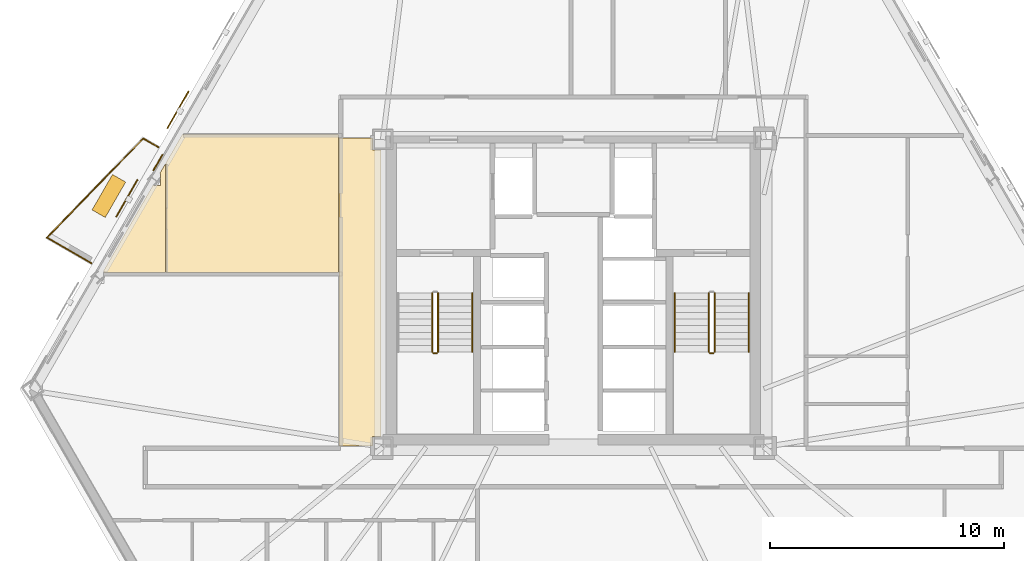
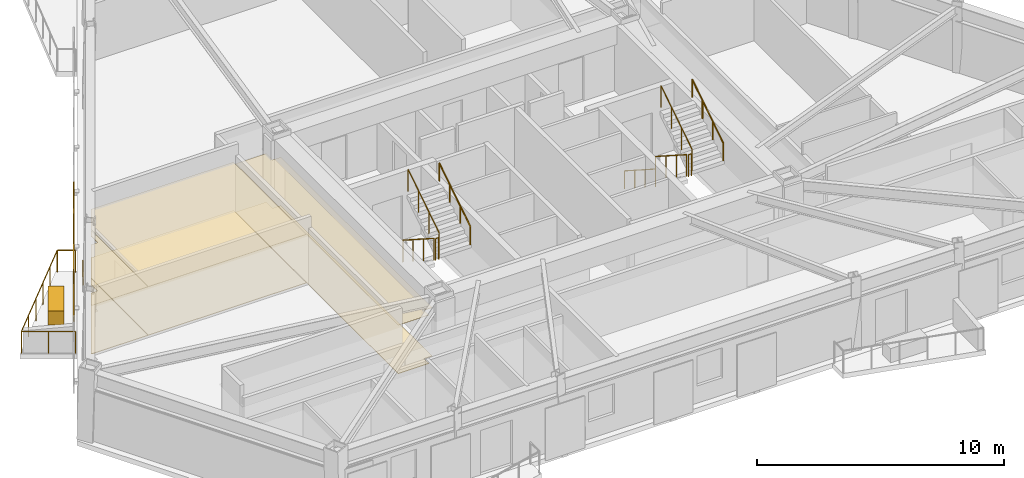
# One storey, part 7 of 9: 12 railings, 8 coverings, 2 shading devices.
"""IFC4 building model written with IfcOpenShell, lengths in metres."""

import ifcopenshell
import ifcopenshell.guid

model = None  # the IFC model being written
_history = None  # IfcOwnerHistory: only IFC2X3 demands one
_inside = {}  # id of a spatial element -> (the spatial element, [elements in it])
_under = {}  # id of a project, library or spatial element -> (it, [spatial elements below it])
_declared = {}  # id of a project -> (the project, [libraries it declares])
_typed = {}  # id of a type object -> (the type object, [elements of that type])
_made_of = {}  # id of a material, layer set ... -> (it, [elements and type objects made of it])


def new_model(schema):
    """Start an empty IFC model of exactly this schema.

    Asked for "IFC4X3", IfcOpenShell would pick the latest addendum, in which some entities
    have other attributes; the version numbers below select the first issue.
    IFC2X3 requires an IfcOwnerHistory on every rooted entity: one is made here for all.
    """
    global model, _history
    if schema == "IFC4X3":
        model = ifcopenshell.file(schema_version=(4, 3, 0, 0))
    else:
        model = ifcopenshell.file(schema=schema)
    _inside.clear()
    _under.clear()
    _declared.clear()
    _typed.clear()
    _made_of.clear()
    _history = None
    if model.schema == "IFC2X3":
        org = make("IfcOrganization", Name="unknown")
        user = make(
            "IfcPersonAndOrganization",
            ThePerson=make("IfcPerson", FamilyName="unknown"),
            TheOrganization=org,
        )
        app = make(
            "IfcApplication",
            ApplicationDeveloper=org,
            Version="unknown",
            ApplicationFullName="unknown",
            ApplicationIdentifier="unknown",
        )
        _history = make(
            "IfcOwnerHistory",
            OwningUser=user,
            OwningApplication=app,
            ChangeAction="ADDED",
            CreationDate=0,
        )
    return model


def make(cls, **values):
    """One entity of the class cls with the attributes given. An attribute that is None is left unset."""
    return model.create_entity(
        cls, **{name: value for name, value in values.items() if value is not None}
    )


def rooted(cls, **values):
    """An entity with a GlobalId (a new one), such as an element, a storey or a relation."""
    return make(cls, GlobalId=ifcopenshell.guid.new(), OwnerHistory=_history, **values)


def si_unit(unit_type, name, prefix=None):
    """IfcSIUnit, for example si_unit("LENGTHUNIT", "METRE", prefix="MILLI")."""
    return make("IfcSIUnit", UnitType=unit_type, Prefix=prefix, Name=name)


def assignment(units):
    """IfcUnitAssignment: the units of a project."""
    return None if units is None else make("IfcUnitAssignment", Units=units)


def point(xyz):
    """IfcCartesianPoint."""
    return None if xyz is None else make("IfcCartesianPoint", Coordinates=xyz)


def direction(xyz):
    """IfcDirection."""
    return None if xyz is None else make("IfcDirection", DirectionRatios=xyz)


def frame(location, z_axis=None, x_axis=None):
    """IfcAxis2Placement3D, a coordinate frame: its origin and axes. An axis left out is left unset."""
    return make(
        "IfcAxis2Placement3D",
        Location=point(location),
        Axis=direction(z_axis),
        RefDirection=direction(x_axis),
    )


def frame_2d(location, x_axis=None):
    """IfcAxis2Placement2D, a coordinate frame in the plane: its origin and x axis."""
    return make(
        "IfcAxis2Placement2D", Location=point(location), RefDirection=direction(x_axis)
    )


def origin():
    """The frame at (0, 0, 0) with its axes left unset."""
    return frame((0.0, 0.0, 0.0))


def origin_2d():
    """The frame at (0, 0) in the plane with its x axis left unset."""
    return frame_2d((0.0, 0.0))


def place(relative_to, where):
    """IfcLocalPlacement: puts the frame where relative to a parent placement (None: the world)."""
    return make(
        "IfcLocalPlacement", PlacementRelTo=relative_to, RelativePlacement=where
    )


def context(
    kind, dimensions, precision=None, world=None, true_north=None, identifier=None
):
    """IfcGeometricRepresentationContext, for example the 3D "Model" context."""
    return make(
        "IfcGeometricRepresentationContext",
        ContextIdentifier=identifier,
        ContextType=kind,
        CoordinateSpaceDimension=dimensions,
        Precision=precision,
        WorldCoordinateSystem=world,
        TrueNorth=true_north,
    )


def subcontext(parent, identifier, kind, view, scale=None):
    """IfcGeometricRepresentationSubContext, for example "Body" below "Model"."""
    return make(
        "IfcGeometricRepresentationSubContext",
        ContextIdentifier=identifier,
        ContextType=kind,
        ParentContext=parent,
        TargetScale=scale,
        TargetView=view,
    )


def project(units=None, contexts=None):
    """IfcProject with its units and contexts."""
    return rooted(
        "IfcProject",
        Name="project",
        RepresentationContexts=contexts,
        UnitsInContext=assignment(units),
    )


def spatial(cls, under=None, at=None, **own):
    """A site, building, storey or space (cls), placed at a placement, below another one or the project."""
    s = rooted(cls, ObjectPlacement=at, **own)
    if under is not None:
        _under.setdefault(under.id(), (under, []))[1].append(s)
    return s


def polyline(points):
    """IfcPolyline through the points."""
    return make("IfcPolyline", Points=[point(p) for p in points])


def profile(cls, at=None, kind="AREA", **sizes):
    """A parametric profile (cls). Its sizes go by their IFC names, for example OverallWidth=200.0."""
    return make(cls, ProfileType=kind, Position=at, **sizes)


def rectangle(**sizes):
    """IfcRectangleProfileDef."""
    return profile("IfcRectangleProfileDef", **sizes)


def circle(**sizes):
    """IfcCircleProfileDef."""
    return profile("IfcCircleProfileDef", **sizes)


def outline(outer, holes=None, kind="AREA"):
    """IfcArbitraryClosedProfileDef: a profile drawn as a closed curve; with holes, ...WithVoids."""
    if holes is None:
        return make("IfcArbitraryClosedProfileDef", ProfileType=kind, OuterCurve=outer)
    return make(
        "IfcArbitraryProfileDefWithVoids",
        ProfileType=kind,
        OuterCurve=outer,
        InnerCurves=holes,
    )


def extrude(swept, where, along, depth):
    """IfcExtrudedAreaSolid: the profile swept, set in the frame where, extruded along a direction by depth."""
    return make(
        "IfcExtrudedAreaSolid",
        SweptArea=swept,
        Position=where,
        ExtrudedDirection=direction(along),
        Depth=depth,
    )


def shape(context_of_items, identifier, shape_type, items):
    """IfcShapeRepresentation: the items that make up one representation, for example the "Body"."""
    return make(
        "IfcShapeRepresentation",
        ContextOfItems=context_of_items,
        RepresentationIdentifier=identifier,
        RepresentationType=shape_type,
        Items=items,
    )


def material(Name=None, Category=None):
    """IfcMaterial."""
    return make("IfcMaterial", Name=Name, Category=Category)


def layer(
    of_material, thickness, ventilated=None, Name=None, Category=None, Priority=None
):
    """IfcMaterialLayer: one layer of a wall or slab, of a material (None: an air gap)."""
    return make(
        "IfcMaterialLayer",
        Material=of_material,
        LayerThickness=thickness,
        IsVentilated=ventilated,
        Name=Name,
        Category=Category,
        Priority=Priority,
    )


def layer_set(layers, Name=None):
    """IfcMaterialLayerSet."""
    return make("IfcMaterialLayerSet", MaterialLayers=layers, LayerSetName=Name)


def made_of(thing, what):
    """Note that an element or type object is made of a material, layer set ...; save() writes the relation."""
    if what is not None:
        _made_of.setdefault(what.id(), (what, []))[1].append(thing)
    return thing


def type_object(cls, material=None, **own):
    """A type object (cls), such as IfcWallType, which elements share."""
    return made_of(rooted(cls, **own), material)


def element(
    cls,
    number,
    at=None,
    inside=None,
    cuts=None,
    type_object=None,
    material=None,
    context=None,
    identifier="Body",
    shape_type=None,
    held_by="IfcProductDefinitionShape",
    body=None,
    shapes=None,
    **own,
):
    """One element of the class cls, such as IfcWall. Its Tag is "e" and its number.

    at: its placement. inside: the storey or other place that contains it. cuts: it is an
    opening in that element (IfcRelVoidsElement). A single representation is given by context,
    identifier, shape_type and body (its items); several are given by shapes. held_by: the class
    of the entity that holds the representations. save() writes the other relations.
    """
    e = rooted(cls, Tag="e%d" % number, ObjectPlacement=at, **own)
    if body is not None:
        shapes = [shape(context, identifier, shape_type, body)]
    if shapes is not None:
        e.Representation = make(held_by, Representations=shapes)
    if inside is not None:
        _inside.setdefault(inside.id(), (inside, []))[1].append(e)
    if cuts is not None:
        rooted(
            "IfcRelVoidsElement", RelatingBuildingElement=cuts, RelatedOpeningElement=e
        )
    if type_object is not None:
        _typed.setdefault(type_object.id(), (type_object, []))[1].append(e)
    return made_of(e, material)


def aggregate(whole, parts):
    """IfcRelAggregates: a whole, such as a stair, and the parts it consists of."""
    return rooted("IfcRelAggregates", RelatingObject=whole, RelatedObjects=parts)


def save(model, path):
    """Write the relations noted so far, then the file.

    IfcRelAggregates (storeys below a building ...), IfcRelContainedInSpatialStructure (elements
    in a storey), IfcRelDefinesByType, IfcRelAssociatesMaterial and IfcRelDeclares: one each for
    every whole, place, type object, material and project.
    """
    for whole, parts in _under.values():
        aggregate(whole, parts)
    for where, things in _inside.values():
        rooted(
            "IfcRelContainedInSpatialStructure",
            RelatedElements=things,
            RelatingStructure=where,
        )
    for kind, things in _typed.values():
        rooted("IfcRelDefinesByType", RelatedObjects=things, RelatingType=kind)
    for what, things in _made_of.values():
        rooted("IfcRelAssociatesMaterial", RelatedObjects=things, RelatingMaterial=what)
    for by, libraries in _declared.values():
        rooted("IfcRelDeclares", RelatingContext=by, RelatedDefinitions=libraries)
    model.write(path)


model = new_model("IFC4")

# Units and contexts
model_context = context("Model", 3, precision=1e-05, world=origin(), true_north=direction((0.0, 1.0)))
body_context = subcontext(model_context, "Body", "Model", "MODEL_VIEW")
ifc_project = project(units=[si_unit("LENGTHUNIT", "METRE"), si_unit("AREAUNIT", "SQUARE_METRE"), si_unit("VOLUMEUNIT", "CUBIC_METRE"), si_unit("PLANEANGLEUNIT", "RADIAN"), si_unit("MASSUNIT", "GRAM", prefix="KILO")], contexts=[model_context])

# Site, building, storey
site_placement = place(None, origin())
site = spatial("IfcSite", under=ifc_project, at=site_placement, CompositionType="ELEMENT")
building_placement = place(site_placement, origin())
building = spatial("IfcBuilding", under=site, at=building_placement, Name="Oramaril Tower", CompositionType="ELEMENT")
storey_placement = place(building_placement, frame((0.0, 0.0, 104.10009765625)))
storey = spatial("IfcBuildingStorey", under=building, at=storey_placement, Name="L27", CompositionType="ELEMENT", Elevation=104.10009765625)

# Coverings
ifc_material_1 = material(Name="Mineral Fibre Acoustic Ceiling")
ifc_layer_1 = layer(ifc_material_1, 0.02001953125)
ifc_layer_set_1 = layer_set([ifc_layer_1], Name="CVT-CEIL")
covering_type_1 = type_object("IfcCoveringType", Name="CVT-CEIL", PredefinedType="CEILING", material=ifc_layer_set_1)
covering_1_placement = place(storey_placement, frame((0.0, 0.0, 2.39990234375)))
element("IfcCovering", 1, at=covering_1_placement, inside=storey, type_object=covering_type_1, Name="L27 Acoustic Suspended Ceiling 3", PredefinedType="CEILING", context=body_context, shape_type="SweptSolid", body=[
    extrude(outline(polyline([(28.905029296875, 23.705078125), (29.280029296875, 23.705078125), (29.280029296875, 11.445068359375), (28.905029296875, 11.445068359375), (28.905029296875, 11.050048828125), (27.469970703125, 11.050048828125), (27.469970703125, 24.219970703125), (28.905029296875, 24.219970703125), (28.905029296875, 23.705078125)])), origin(), (0.0, 0.0, 1.0), 0.02001953125),
])
covering_2_placement = place(storey_placement, frame((0.0, 0.0, 2.39990234375)))
element("IfcCovering", 2, at=covering_2_placement, inside=storey, type_object=covering_type_1, Name="L27 Acoustic Suspended Ceiling 15", PredefinedType="CEILING", context=body_context, shape_type="SweptSolid", body=[
    extrude(outline(polyline([(20.77099609375, 24.362060546875), (27.449951171875, 24.362060546875), (27.449951171875, 24.239990234375), (27.4501953125, 24.238037109375), (27.450439453125, 24.236083984375), (27.450927734375, 24.234130859375), (27.451416015625, 24.232421875), (27.452392578125, 24.230712890625), (27.45263671875, 24.22998046875), (27.452392578125, 24.2294921875), (27.451416015625, 24.227783203125), (27.450927734375, 24.225830078125), (27.450439453125, 24.223876953125), (27.4501953125, 24.221923828125), (27.449951171875, 24.219970703125), (27.449951171875, 18.4619140625), (20.0673828125, 18.4619140625), (20.0673828125, 23.14306640625), (20.77099609375, 24.362060546875)])), origin(), (0.0, 0.0, 1.0), 0.02001953125),
])
covering_3_placement = place(storey_placement, frame((0.0, 0.0, 2.39990234375)))
element("IfcCovering", 3, at=covering_3_placement, inside=storey, type_object=covering_type_1, Name="L27 Acoustic Suspended Ceiling 16", PredefinedType="CEILING", context=body_context, shape_type="SweptSolid", body=[
    extrude(outline(polyline([(19.844482421875, 22.191650390625), (19.844482421875, 22.6943359375), (19.80810546875, 22.6943359375), (20.04736328125, 23.1083984375), (20.04736328125, 18.4619140625), (17.41748046875, 18.4619140625), (17.41748046875, 18.499755859375), (17.386474609375, 18.499755859375), (19.51806640625, 22.191650390625), (19.844482421875, 22.191650390625)])), origin(), (0.0, 0.0, 1.0), 0.02001953125),
])
ifc_material_2 = material(Name="Warm Cream Limestone", Category="masonry")
ifc_layer_2 = layer(ifc_material_2, 0.050048828125)
ifc_layer_set_2 = layer_set([ifc_layer_2], Name="CVT-CLD")
covering_type_2 = type_object("IfcCoveringType", Name="CVT-CLD", PredefinedType="CLADDING", material=ifc_layer_set_2)
covering_4_placement = place(storey_placement, frame((19.7333984375, 23.1669921875, 0.0400390625), z_axis=(0.0, 0.0, 1.0), x_axis=(-0.5, -0.866025403784, 0.0)))
element("IfcCovering", 4, at=covering_4_placement, inside=storey, type_object=covering_type_2, Name="L27 Warm Cream Limestone Spandrel Cladding", PredefinedType="CLADDING", context=body_context, shape_type="SweptSolid", body=[
    extrude(rectangle(XDim=0.800048828125, YDim=0.050048828125, at=origin_2d()), origin(), (0.0, 0.0, 1.0), 0.679931640625),
])
covering_5_placement = place(storey_placement, frame((17.634765625, 21.739013671875, 0.0), z_axis=(0.0, 0.0, 1.0), x_axis=(-0.5, -0.866025403784, 0.0)))
element("IfcCovering", 5, at=covering_5_placement, inside=storey, type_object=covering_type_2, Name="L27 Structural Tree Planter Box L27-BAL-NW2", PredefinedType="CLADDING", context=body_context, shape_type="SweptSolid", body=[
    extrude(rectangle(XDim=1.75, YDim=0.64990234375, at=origin_2d()), origin(), (0.0, 0.0, 1.0), 0.699951171875),
])
ifc_material_3 = material(Name="Honed Quartzite Stone Flooring", Category="masonry")
ifc_layer_3 = layer(ifc_material_3, 0.02490234375)
ifc_layer_set_3 = layer_set([ifc_layer_3], Name="CVT-FLR")
covering_type_3 = type_object("IfcCoveringType", Name="CVT-FLR", PredefinedType="FLOORING", material=ifc_layer_set_3)
covering_6_placement = place(storey_placement, origin())
element("IfcCovering", 6, at=covering_6_placement, inside=storey, type_object=covering_type_3, Name="L27 Honed Stone Floor Finish 3", PredefinedType="FLOORING", context=body_context, shape_type="SweptSolid", body=[
    extrude(outline(polyline([(28.905029296875, 23.705078125), (29.280029296875, 23.705078125), (29.280029296875, 11.445068359375), (28.905029296875, 11.445068359375), (28.905029296875, 11.050048828125), (27.469970703125, 11.050048828125), (27.469970703125, 24.219970703125), (28.905029296875, 24.219970703125), (28.905029296875, 23.705078125)])), origin(), (0.0, 0.0, 1.0), 0.02490234375),
])
covering_7_placement = place(storey_placement, origin())
element("IfcCovering", 7, at=covering_7_placement, inside=storey, type_object=covering_type_3, Name="L27 Honed Stone Floor Finish 15", PredefinedType="FLOORING", context=body_context, shape_type="SweptSolid", body=[
    extrude(outline(polyline([(20.77099609375, 24.362060546875), (27.449951171875, 24.362060546875), (27.449951171875, 24.239990234375), (27.4501953125, 24.238037109375), (27.450439453125, 24.236083984375), (27.450927734375, 24.234130859375), (27.451416015625, 24.232421875), (27.452392578125, 24.230712890625), (27.45263671875, 24.22998046875), (27.452392578125, 24.2294921875), (27.451416015625, 24.227783203125), (27.450927734375, 24.225830078125), (27.450439453125, 24.223876953125), (27.4501953125, 24.221923828125), (27.449951171875, 24.219970703125), (27.449951171875, 18.4619140625), (20.0673828125, 18.4619140625), (20.0673828125, 23.14306640625), (20.77099609375, 24.362060546875)])), origin(), (0.0, 0.0, 1.0), 0.02490234375),
])
covering_8_placement = place(storey_placement, origin())
element("IfcCovering", 8, at=covering_8_placement, inside=storey, type_object=covering_type_3, Name="L27 Honed Stone Floor Finish 16", PredefinedType="FLOORING", context=body_context, shape_type="SweptSolid", body=[
    extrude(outline(polyline([(19.844482421875, 22.191650390625), (19.844482421875, 22.6943359375), (19.80810546875, 22.6943359375), (20.04736328125, 23.1083984375), (20.04736328125, 18.4619140625), (17.41748046875, 18.4619140625), (17.41748046875, 18.499755859375), (17.386474609375, 18.499755859375), (19.51806640625, 22.191650390625), (19.844482421875, 22.191650390625)])), origin(), (0.0, 0.0, 1.0), 0.02490234375),
])

# Railings
ifc_material_4 = material(Name="Stainless Steel 316L", Category="steel")
railing_type_1 = type_object("IfcRailingType", Name="RLT-GRD", PredefinedType="GUARDRAIL", material=ifc_material_4)
railing_1_placement = place(storey_placement, frame((16.885009765625, 18.863525390625, 0.0)))
element("IfcRailing", 9, at=railing_1_placement, inside=storey, type_object=railing_type_1, Name="L27 Balcony Guardrail L27-BAL-NW2.1", PredefinedType="GUARDRAIL", context=body_context, shape_type="SweptSolid", body=[
    extrude(circle(Radius=0.02392578125, at=origin_2d()), frame((0.0, 0.0, 1.076171875), z_axis=(-0.866020500697, 0.5000084923, 0.0), x_axis=(-0.5000084923, -0.866020500697, 0.0)), (0.0, 0.0, 1.0), 2.19189453125),
    extrude(circle(Radius=0.02099609375, at=origin_2d()), origin(), (0.0, 0.0, 1.0), 1.052001953125),
    extrude(circle(Radius=0.02099609375, at=origin_2d()), frame((-0.94921875, 0.5478515625, 0.0)), (0.0, 0.0, 1.0), 1.052001953125),
    extrude(circle(Radius=0.02099609375, at=origin_2d()), frame((-1.898193359375, 1.095947265625, 0.0)), (0.0, 0.0, 1.0), 1.052001953125),
])
railing_2_placement = place(storey_placement, frame((14.98681640625, 19.95947265625, 0.0)))
element("IfcRailing", 10, at=railing_2_placement, inside=storey, type_object=railing_type_1, Name="L27 Balcony Guardrail L27-BAL-NW2.2", PredefinedType="GUARDRAIL", context=body_context, shape_type="SweptSolid", body=[
    extrude(circle(Radius=0.02392578125, at=origin_2d()), frame((0.0, 0.0, 1.076171875), z_axis=(0.697186915353, 0.716889395277, 0.0), x_axis=(-0.716889395277, 0.697186915353, 0.0)), (0.0, 0.0, 1.0), 5.91064453125),
    extrude(circle(Radius=0.02099609375, at=origin_2d()), origin(), (0.0, 0.0, 1.0), 1.052001953125),
    extrude(circle(Radius=0.02099609375, at=origin_2d()), frame((0.82421875, 0.847412109375, 0.0)), (0.0, 0.0, 1.0), 1.052001953125),
    extrude(circle(Radius=0.02099609375, at=origin_2d()), frame((1.6484375, 1.69482421875, 0.0)), (0.0, 0.0, 1.0), 1.052001953125),
    extrude(circle(Radius=0.02099609375, at=origin_2d()), frame((2.472412109375, 2.54248046875, 0.0)), (0.0, 0.0, 1.0), 1.052001953125),
    extrude(circle(Radius=0.02099609375, at=origin_2d()), frame((3.296630859375, 3.389892578125, 0.0)), (0.0, 0.0, 1.0), 1.052001953125),
    extrude(circle(Radius=0.02099609375, at=origin_2d()), frame((4.120849609375, 4.2373046875, 0.0)), (0.0, 0.0, 1.0), 1.052001953125),
])
railing_3_placement = place(storey_placement, frame((19.107666015625, 24.19677734375, 0.0)))
element("IfcRailing", 11, at=railing_3_placement, inside=storey, type_object=railing_type_1, Name="L27 Balcony Guardrail L27-BAL-NW2.3", PredefinedType="GUARDRAIL", context=body_context, shape_type="SweptSolid", body=[
    extrude(circle(Radius=0.02392578125, at=origin_2d()), frame((0.0, 0.0, 1.076171875), z_axis=(0.865884080729, -0.500244698863, 0.0), x_axis=(0.500244698863, 0.865884080729, 0.0)), (0.0, 0.0, 1.0), 0.741943359375),
    extrude(circle(Radius=0.02099609375, at=origin_2d()), origin(), (0.0, 0.0, 1.0), 1.052001953125),
    extrude(circle(Radius=0.02099609375, at=origin_2d()), frame((0.642333984375, -0.37109375, 0.0)), (0.0, 0.0, 1.0), 1.052001953125),
])
railing_4_placement = place(storey_placement, frame((31.4599609375, 17.590087890625, 0.179931640625)))
element("IfcRailing", 12, at=railing_4_placement, inside=storey, type_object=railing_type_1, Name="L27 ST-1 stair guard 1", PredefinedType="GUARDRAIL", context=body_context, shape_type="SweptSolid", body=[
    extrude(circle(Radius=0.02392578125, at=origin_2d()), frame((0.0, 0.0, 1.076171875), z_axis=(0.0, -0.841199657755, 0.540724639528), x_axis=(1.0, 0.0, 0.0)), (0.0, 0.0, 1.0), 2.995849609375),
    extrude(circle(Radius=0.02099609375, at=origin_2d()), origin(), (0.0, 0.0, 1.0), 1.052001953125),
    extrude(circle(Radius=0.02099609375, at=origin_2d()), frame((0.0, -0.840087890625, 0.5400390625)), (0.0, 0.0, 1.0), 1.052001953125),
    extrude(circle(Radius=0.02099609375, at=origin_2d()), frame((0.0, -1.679931640625, 1.079833984375)), (0.0, 0.0, 1.0), 1.052001953125),
    extrude(circle(Radius=0.02099609375, at=origin_2d()), frame((0.0, -2.52001953125, 1.619873046875)), (0.0, 0.0, 1.0), 1.052001953125),
])
railing_5_placement = place(storey_placement, frame((31.510009765625, 15.02001953125, 1.7998046875)))
element("IfcRailing", 13, at=railing_5_placement, inside=storey, type_object=railing_type_1, Name="L27 ST-1 stair guard 2", PredefinedType="GUARDRAIL", context=body_context, shape_type="SweptSolid", body=[
    extrude(circle(Radius=0.02392578125, at=origin_2d()), frame((0.0, 0.0, 1.076171875), z_axis=(1.0, 0.0, 0.0), x_axis=(0.0, 1.0, 0.0)), (0.0, 0.0, 1.0), 0.14990234375),
    extrude(circle(Radius=0.02099609375, at=origin_2d()), origin(), (0.0, 0.0, 1.0), 1.052001953125),
    extrude(circle(Radius=0.02099609375, at=origin_2d()), frame((0.14990234375, 0.0, 0.0)), (0.0, 0.0, 1.0), 1.052001953125),
])
railing_6_placement = place(storey_placement, frame((31.7099609375, 15.070068359375, 1.97998046875)))
element("IfcRailing", 14, at=railing_6_placement, inside=storey, type_object=railing_type_1, Name="L27 ST-1 stair guard 3", PredefinedType="GUARDRAIL", context=body_context, shape_type="SweptSolid", body=[
    extrude(circle(Radius=0.02392578125, at=origin_2d()), frame((0.0, 0.0, 1.076171875), z_axis=(0.0, 0.841199657755, 0.540724639528), x_axis=(-1.0, 0.0, 0.0)), (0.0, 0.0, 1.0), 2.995849609375),
    extrude(circle(Radius=0.02099609375, at=origin_2d()), origin(), (0.0, 0.0, 1.0), 1.052001953125),
    extrude(circle(Radius=0.02099609375, at=origin_2d()), frame((0.0, 0.840087890625, 0.5400390625)), (0.0, 0.0, 1.0), 1.052001953125),
    extrude(circle(Radius=0.02099609375, at=origin_2d()), frame((0.0, 1.679931640625, 1.079833984375)), (0.0, 0.0, 1.0), 1.052001953125),
    extrude(circle(Radius=0.02099609375, at=origin_2d()), frame((0.0, 2.52001953125, 1.619873046875)), (0.0, 0.0, 1.0), 1.052001953125),
])
railing_7_placement = place(storey_placement, frame((43.2900390625, 17.590087890625, 0.179931640625)))
element("IfcRailing", 15, at=railing_7_placement, inside=storey, type_object=railing_type_1, Name="L27 ST-2 stair guard 1", PredefinedType="GUARDRAIL", context=body_context, shape_type="SweptSolid", body=[
    extrude(circle(Radius=0.02392578125, at=origin_2d()), frame((0.0, 0.0, 1.076171875), z_axis=(0.0, -0.841199657755, 0.540724639528), x_axis=(1.0, 0.0, 0.0)), (0.0, 0.0, 1.0), 2.995849609375),
    extrude(circle(Radius=0.02099609375, at=origin_2d()), origin(), (0.0, 0.0, 1.0), 1.052001953125),
    extrude(circle(Radius=0.02099609375, at=origin_2d()), frame((0.0, -0.840087890625, 0.5400390625)), (0.0, 0.0, 1.0), 1.052001953125),
    extrude(circle(Radius=0.02099609375, at=origin_2d()), frame((0.0, -1.679931640625, 1.079833984375)), (0.0, 0.0, 1.0), 1.052001953125),
    extrude(circle(Radius=0.02099609375, at=origin_2d()), frame((0.0, -2.52001953125, 1.619873046875)), (0.0, 0.0, 1.0), 1.052001953125),
])
railing_8_placement = place(storey_placement, frame((43.340087890625, 15.02001953125, 1.7998046875)))
element("IfcRailing", 16, at=railing_8_placement, inside=storey, type_object=railing_type_1, Name="L27 ST-2 stair guard 2", PredefinedType="GUARDRAIL", context=body_context, shape_type="SweptSolid", body=[
    extrude(circle(Radius=0.02392578125, at=origin_2d()), frame((0.0, 0.0, 1.076171875), z_axis=(1.0, 0.0, 0.0), x_axis=(0.0, 1.0, 0.0)), (0.0, 0.0, 1.0), 0.14990234375),
    extrude(circle(Radius=0.02099609375, at=origin_2d()), origin(), (0.0, 0.0, 1.0), 1.052001953125),
    extrude(circle(Radius=0.02099609375, at=origin_2d()), frame((0.14990234375, 0.0, 0.0)), (0.0, 0.0, 1.0), 1.052001953125),
])
railing_9_placement = place(storey_placement, frame((43.5400390625, 15.070068359375, 1.97998046875)))
element("IfcRailing", 17, at=railing_9_placement, inside=storey, type_object=railing_type_1, Name="L27 ST-2 stair guard 3", PredefinedType="GUARDRAIL", context=body_context, shape_type="SweptSolid", body=[
    extrude(circle(Radius=0.02392578125, at=origin_2d()), frame((0.0, 0.0, 1.076171875), z_axis=(0.0, 0.841199657755, 0.540724639528), x_axis=(-1.0, 0.0, 0.0)), (0.0, 0.0, 1.0), 2.995849609375),
    extrude(circle(Radius=0.02099609375, at=origin_2d()), origin(), (0.0, 0.0, 1.0), 1.052001953125),
    extrude(circle(Radius=0.02099609375, at=origin_2d()), frame((0.0, 0.840087890625, 0.5400390625)), (0.0, 0.0, 1.0), 1.052001953125),
    extrude(circle(Radius=0.02099609375, at=origin_2d()), frame((0.0, 1.679931640625, 1.079833984375)), (0.0, 0.0, 1.0), 1.052001953125),
    extrude(circle(Radius=0.02099609375, at=origin_2d()), frame((0.0, 2.52001953125, 1.619873046875)), (0.0, 0.0, 1.0), 1.052001953125),
])
ifc_material_5 = material(Name="Stainless Steel 316L", Category="steel")
railing_type_2 = type_object("IfcRailingType", Name="RLT-HND", PredefinedType="HANDRAIL", material=ifc_material_5)
railing_10_placement = place(storey_placement, frame((33.169921875, 15.070068359375, 1.97998046875)))
element("IfcRailing", 18, at=railing_10_placement, inside=storey, type_object=railing_type_2, Name="L27 ST-1 stair handrail 2", PredefinedType="HANDRAIL", context=body_context, shape_type="SweptSolid", body=[
    extrude(circle(Radius=0.02392578125, at=origin_2d()), frame((0.0, 0.0, 0.8759765625), z_axis=(0.0, 0.841199657755, 0.540724639528), x_axis=(-1.0, 0.0, 0.0)), (0.0, 0.0, 1.0), 2.995849609375),
    extrude(circle(Radius=0.02099609375, at=origin_2d()), origin(), (0.0, 0.0, 1.0), 0.851806640625),
    extrude(circle(Radius=0.02099609375, at=origin_2d()), frame((0.0, 0.840087890625, 0.5400390625)), (0.0, 0.0, 1.0), 0.851806640625),
    extrude(circle(Radius=0.02099609375, at=origin_2d()), frame((0.0, 1.679931640625, 1.079833984375)), (0.0, 0.0, 1.0), 0.851806640625),
    extrude(circle(Radius=0.02099609375, at=origin_2d()), frame((0.0, 2.52001953125, 1.619873046875)), (0.0, 0.0, 1.0), 0.851806640625),
])
railing_11_placement = place(storey_placement, frame((41.830078125, 17.590087890625, 0.179931640625)))
element("IfcRailing", 19, at=railing_11_placement, inside=storey, type_object=railing_type_2, Name="L27 ST-2 stair handrail 1", PredefinedType="HANDRAIL", context=body_context, shape_type="SweptSolid", body=[
    extrude(circle(Radius=0.02392578125, at=origin_2d()), frame((0.0, 0.0, 0.8759765625), z_axis=(0.0, -0.841199657755, 0.540724639528), x_axis=(1.0, 0.0, 0.0)), (0.0, 0.0, 1.0), 2.995849609375),
    extrude(circle(Radius=0.02099609375, at=origin_2d()), origin(), (0.0, 0.0, 1.0), 0.851806640625),
    extrude(circle(Radius=0.02099609375, at=origin_2d()), frame((0.0, -0.840087890625, 0.5400390625)), (0.0, 0.0, 1.0), 0.851806640625),
    extrude(circle(Radius=0.02099609375, at=origin_2d()), frame((0.0, -1.679931640625, 1.079833984375)), (0.0, 0.0, 1.0), 0.851806640625),
    extrude(circle(Radius=0.02099609375, at=origin_2d()), frame((0.0, -2.52001953125, 1.619873046875)), (0.0, 0.0, 1.0), 0.851806640625),
])
railing_12_placement = place(storey_placement, frame((45.0, 15.070068359375, 1.97998046875)))
element("IfcRailing", 20, at=railing_12_placement, inside=storey, type_object=railing_type_2, Name="L27 ST-2 stair handrail 2", PredefinedType="HANDRAIL", context=body_context, shape_type="SweptSolid", body=[
    extrude(circle(Radius=0.02392578125, at=origin_2d()), frame((0.0, 0.0, 0.8759765625), z_axis=(0.0, 0.841199657755, 0.540724639528), x_axis=(-1.0, 0.0, 0.0)), (0.0, 0.0, 1.0), 2.995849609375),
    extrude(circle(Radius=0.02099609375, at=origin_2d()), origin(), (0.0, 0.0, 1.0), 0.851806640625),
    extrude(circle(Radius=0.02099609375, at=origin_2d()), frame((0.0, 0.840087890625, 0.5400390625)), (0.0, 0.0, 1.0), 0.851806640625),
    extrude(circle(Radius=0.02099609375, at=origin_2d()), frame((0.0, 1.679931640625, 1.079833984375)), (0.0, 0.0, 1.0), 0.851806640625),
    extrude(circle(Radius=0.02099609375, at=origin_2d()), frame((0.0, 2.52001953125, 1.619873046875)), (0.0, 0.0, 1.0), 0.851806640625),
])

# Shading devices
for number, where, z_axis, x_axis, name in (
    (21, (18.405517578125, 21.64111328125, -0.02001953125), (0.0, 0.0, 1.0), (-0.5, -0.866025403784, 0.0), "L27 Perforated Ceramic Solar Screen"),
    (22, (20.589111328125, 25.423095703125, -0.02001953125), (0.0, 0.0, 1.0), (-0.5, -0.866025403784, 0.0), "L27 Perforated Ceramic Solar Screen"),
):
    element("IfcShadingDevice", number, at=place(storey_placement, frame(where, z_axis=z_axis, x_axis=x_axis)), inside=storey, Name=name, ObjectType="SCREEN", PredefinedType="USERDEFINED", context=body_context, shape_type="SweptSolid", body=[
        extrude(rectangle(XDim=1.8330078125, YDim=0.050048828125, at=origin_2d()), origin(), (0.0, 0.0, 1.0), 2.577880859375),
    ])

save(model, "model.ifc")
